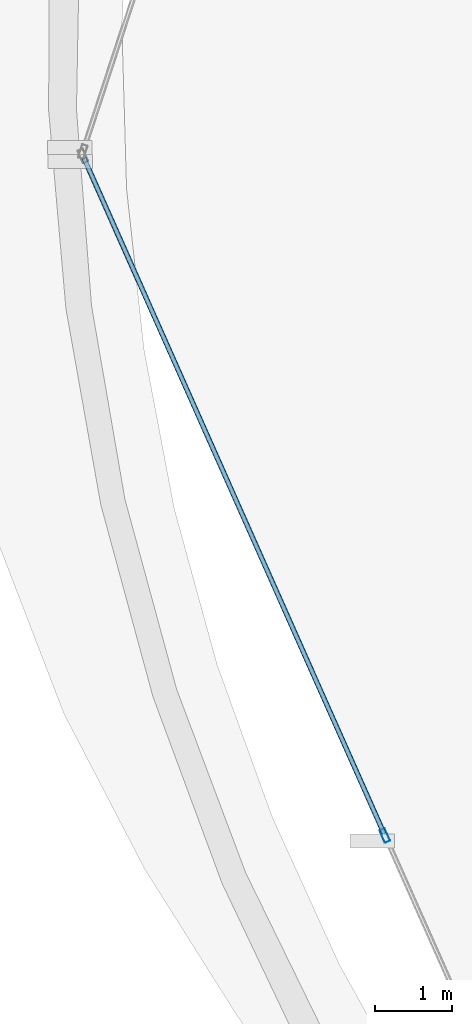
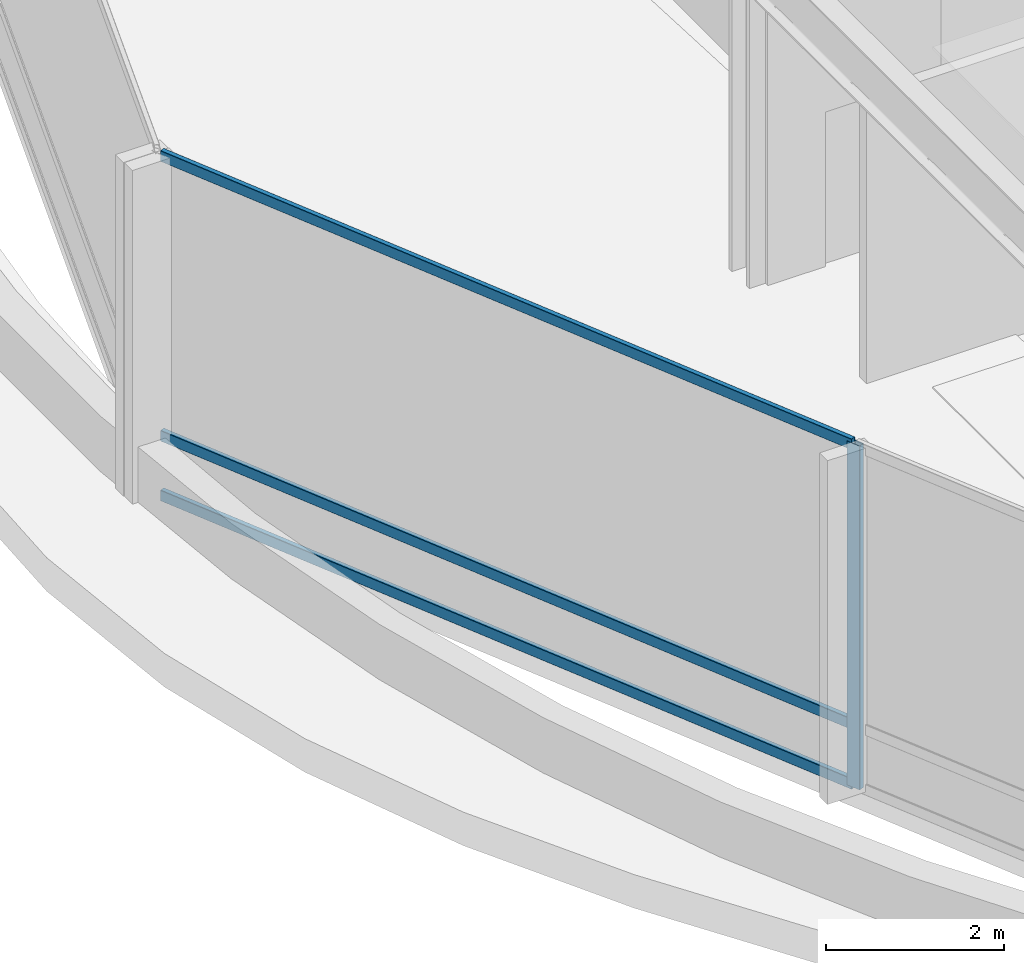
# One storey, part 5 of 33: 4 members, 1 element without a shape of its own.
"""IFC4 building model written with IfcOpenShell, lengths in metres."""

from ifc_helpers import new_model, si_unit, direction, frame, origin, origin_2d, place, context, subcontext, project, spatial, hollow_rectangle, extrude, material, layer, layer_set, material_profile, profile_set, type_object, element, aggregate, save


model = new_model("IFC4")

# Units and contexts
model_context = context("Model", 3, precision=1e-05, world=origin(), true_north=direction((0.0, 1.0)))
body_context = subcontext(model_context, "Body", "Model", "MODEL_VIEW")
ifc_project = project(units=[si_unit("LENGTHUNIT", "METRE"), si_unit("AREAUNIT", "SQUARE_METRE"), si_unit("VOLUMEUNIT", "CUBIC_METRE"), si_unit("PLANEANGLEUNIT", "RADIAN"), si_unit("MASSUNIT", "GRAM", prefix="KILO")], contexts=[model_context])

# Site, building, storey
site_placement = place(None, origin())
site = spatial("IfcSite", under=ifc_project, at=site_placement, CompositionType="ELEMENT")
building_placement = place(site_placement, origin())
building = spatial("IfcBuilding", under=site, at=building_placement, Name="Solvaryn Broadcast Tower", CompositionType="ELEMENT")
storey_placement = place(building_placement, frame((0.0, 0.0, 105.0)))
storey = spatial("IfcBuildingStorey", under=building, at=storey_placement, Name="L25", CompositionType="ELEMENT", Elevation=105.0)

# Curtain wall, members
ifc_material_1 = material(Name="Aluminium and Terracotta Unitised Curtain Wall", Category="masonry")
ifc_layer = layer(ifc_material_1, 0.25)
ifc_layer_set = layer_set([ifc_layer], Name="CW-SYS4-SKYGARDEN")
curtain_wall_type = type_object("IfcCurtainWallType", Name="CW-SYS4-SKYGARDEN", PredefinedType="NOTDEFINED", material=ifc_layer_set)
curtain_wall_placement = place(storey_placement, origin())
curtain_wall = element("IfcCurtainWall", 1, at=curtain_wall_placement, inside=storey, type_object=curtain_wall_type, Name="L25 Curtain Wall DR2", PredefinedType="NOTDEFINED")
ifc_material_2 = material(Name="Anodised Aluminium 6063-T6", Category="aluminium")
ifc_material_profile_1 = material_profile(ifc_material_2, hollow_rectangle(XDim=0.074951171875, YDim=0.179931640625, WallThickness=0.00390625, InnerFilletRadius=0.00390625, OuterFilletRadius=0.008056640625, at=origin_2d()))
ifc_profile_set_1 = profile_set([ifc_material_profile_1], Name="Anodised Aluminium 6063-T6")
member_type_1 = type_object("IfcMemberType", Name="CW-MUL-180", PredefinedType="MULLION", material=ifc_profile_set_1)
member_1_placement = place(storey_placement, frame((4.970947265625, 17.77197265625, 0.0), z_axis=(0.0, 0.0, 1.0), x_axis=(0.913909311008, 0.405918429309, 0.0)))
member_1 = element("IfcMember", 2, at=member_1_placement, type_object=member_type_1, Name="CWS4 mullion 2", PredefinedType="MULLION", context=body_context, shape_type="SweptSolid", body=[
    extrude(hollow_rectangle(XDim=0.074951171875, YDim=0.179931640625, WallThickness=0.00390625, InnerFilletRadius=0.00390625, OuterFilletRadius=0.008056640625, at=origin_2d()), origin(), (0.0, 0.0, 1.0), 4.719970703125),
])
ifc_material_3 = material(Name="Anodised Aluminium 6063-T6", Category="aluminium")
ifc_material_profile_2 = material_profile(ifc_material_3, hollow_rectangle(XDim=0.06494140625, YDim=0.14990234375, WallThickness=0.00390625, InnerFilletRadius=0.00390625, OuterFilletRadius=0.008056640625, at=origin_2d()))
ifc_profile_set_2 = profile_set([ifc_material_profile_2], Name="Anodised Aluminium 6063-T6")
member_type_2 = type_object("IfcMemberType", Name="CW-TRN-150", PredefinedType="USERDEFINED", material=ifc_profile_set_2)
member_2_placement = place(storey_placement, frame((1.058349609375, 26.5810546875, 0.030029296875), z_axis=(0.405912142424, -0.913912103341, 0.0), x_axis=(0.913912103341, 0.405912142424, 0.0)))
member_2 = element("IfcMember", 3, at=member_2_placement, type_object=member_type_2, Name="CWS4 transom 1.1", ObjectType="TRANSOM", PredefinedType="USERDEFINED", context=body_context, shape_type="SweptSolid", body=[
    extrude(hollow_rectangle(XDim=0.06494140625, YDim=0.14990234375, WallThickness=0.00390625, InnerFilletRadius=0.00390625, OuterFilletRadius=0.008056640625, at=origin_2d()), origin(), (0.0, 0.0, 1.0), 9.60888671875),
])
member_3_placement = place(storey_placement, frame((1.058349609375, 26.5810546875, 0.85009765625), z_axis=(0.405912142424, -0.913912103341, 0.0), x_axis=(0.913912103341, 0.405912142424, 0.0)))
member_3 = element("IfcMember", 4, at=member_3_placement, type_object=member_type_2, Name="CWS4 transom 1.2", ObjectType="TRANSOM", PredefinedType="USERDEFINED", context=body_context, shape_type="SweptSolid", body=[
    extrude(hollow_rectangle(XDim=0.06494140625, YDim=0.14990234375, WallThickness=0.00390625, InnerFilletRadius=0.00390625, OuterFilletRadius=0.008056640625, at=origin_2d()), origin(), (0.0, 0.0, 1.0), 9.60888671875),
])
member_4_placement = place(storey_placement, frame((1.058349609375, 26.5810546875, 4.68994140625), z_axis=(0.405912142424, -0.913912103341, 0.0), x_axis=(0.913912103341, 0.405912142424, 0.0)))
member_4 = element("IfcMember", 5, at=member_4_placement, type_object=member_type_2, Name="CWS4 transom 1.3", ObjectType="TRANSOM", PredefinedType="USERDEFINED", context=body_context, shape_type="SweptSolid", body=[
    extrude(hollow_rectangle(XDim=0.06494140625, YDim=0.14990234375, WallThickness=0.00390625, InnerFilletRadius=0.00390625, OuterFilletRadius=0.008056640625, at=origin_2d()), origin(), (0.0, 0.0, 1.0), 9.60888671875),
])
aggregate(curtain_wall, [member_1, member_2, member_3, member_4])

save(model, "model.ifc")
